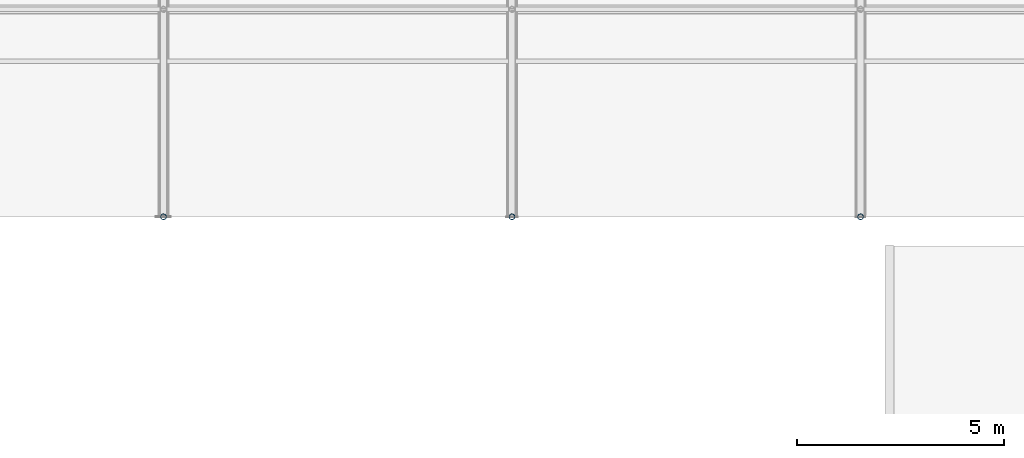
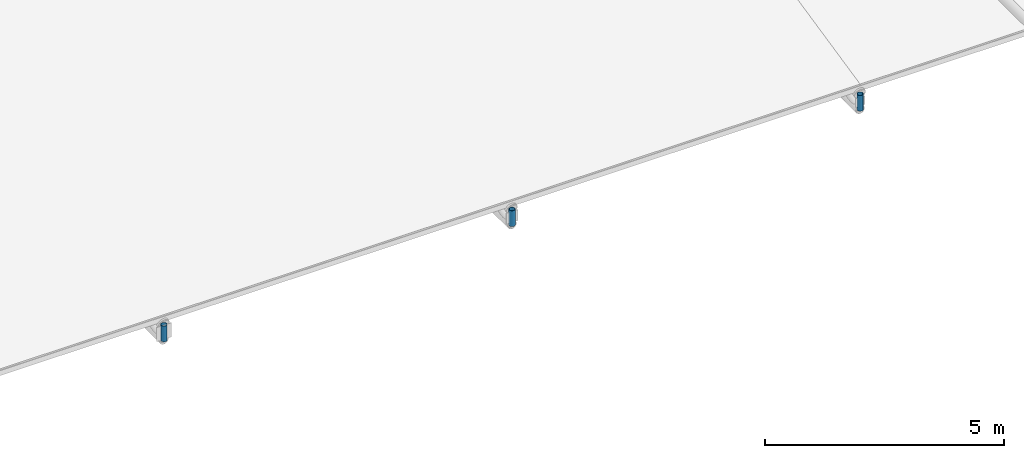
# One storey, part 140 of 194: 3 members.
"""IFC4 building model written with IfcOpenShell, lengths in metres."""

import ifcopenshell
import ifcopenshell.guid

model = None  # the IFC model being written
_history = None  # IfcOwnerHistory: only IFC2X3 demands one
_inside = {}  # id of a spatial element -> (the spatial element, [elements in it])
_under = {}  # id of a project, library or spatial element -> (it, [spatial elements below it])
_declared = {}  # id of a project -> (the project, [libraries it declares])
_typed = {}  # id of a type object -> (the type object, [elements of that type])
_made_of = {}  # id of a material, layer set ... -> (it, [elements and type objects made of it])


def new_model(schema):
    """Start an empty IFC model of exactly this schema.

    Asked for "IFC4X3", IfcOpenShell would pick the latest addendum, in which some entities
    have other attributes; the version numbers below select the first issue.
    IFC2X3 requires an IfcOwnerHistory on every rooted entity: one is made here for all.
    """
    global model, _history
    if schema == "IFC4X3":
        model = ifcopenshell.file(schema_version=(4, 3, 0, 0))
    else:
        model = ifcopenshell.file(schema=schema)
    _inside.clear()
    _under.clear()
    _declared.clear()
    _typed.clear()
    _made_of.clear()
    _history = None
    if model.schema == "IFC2X3":
        org = make("IfcOrganization", Name="unknown")
        user = make(
            "IfcPersonAndOrganization",
            ThePerson=make("IfcPerson", FamilyName="unknown"),
            TheOrganization=org,
        )
        app = make(
            "IfcApplication",
            ApplicationDeveloper=org,
            Version="unknown",
            ApplicationFullName="unknown",
            ApplicationIdentifier="unknown",
        )
        _history = make(
            "IfcOwnerHistory",
            OwningUser=user,
            OwningApplication=app,
            ChangeAction="ADDED",
            CreationDate=0,
        )
    return model


def make(cls, **values):
    """One entity of the class cls with the attributes given. An attribute that is None is left unset."""
    return model.create_entity(
        cls, **{name: value for name, value in values.items() if value is not None}
    )


def rooted(cls, **values):
    """An entity with a GlobalId (a new one), such as an element, a storey or a relation."""
    return make(cls, GlobalId=ifcopenshell.guid.new(), OwnerHistory=_history, **values)


def si_unit(unit_type, name, prefix=None):
    """IfcSIUnit, for example si_unit("LENGTHUNIT", "METRE", prefix="MILLI")."""
    return make("IfcSIUnit", UnitType=unit_type, Prefix=prefix, Name=name)


def assignment(units):
    """IfcUnitAssignment: the units of a project."""
    return None if units is None else make("IfcUnitAssignment", Units=units)


def point(xyz):
    """IfcCartesianPoint."""
    return None if xyz is None else make("IfcCartesianPoint", Coordinates=xyz)


def direction(xyz):
    """IfcDirection."""
    return None if xyz is None else make("IfcDirection", DirectionRatios=xyz)


def frame(location, z_axis=None, x_axis=None):
    """IfcAxis2Placement3D, a coordinate frame: its origin and axes. An axis left out is left unset."""
    return make(
        "IfcAxis2Placement3D",
        Location=point(location),
        Axis=direction(z_axis),
        RefDirection=direction(x_axis),
    )


def frame_2d(location, x_axis=None):
    """IfcAxis2Placement2D, a coordinate frame in the plane: its origin and x axis."""
    return make(
        "IfcAxis2Placement2D", Location=point(location), RefDirection=direction(x_axis)
    )


def origin():
    """The frame at (0, 0, 0) with its axes left unset."""
    return frame((0.0, 0.0, 0.0))


def origin_2d():
    """The frame at (0, 0) in the plane with its x axis left unset."""
    return frame_2d((0.0, 0.0))


def place(relative_to, where):
    """IfcLocalPlacement: puts the frame where relative to a parent placement (None: the world)."""
    return make(
        "IfcLocalPlacement", PlacementRelTo=relative_to, RelativePlacement=where
    )


def context(
    kind, dimensions, precision=None, world=None, true_north=None, identifier=None
):
    """IfcGeometricRepresentationContext, for example the 3D "Model" context."""
    return make(
        "IfcGeometricRepresentationContext",
        ContextIdentifier=identifier,
        ContextType=kind,
        CoordinateSpaceDimension=dimensions,
        Precision=precision,
        WorldCoordinateSystem=world,
        TrueNorth=true_north,
    )


def subcontext(parent, identifier, kind, view, scale=None):
    """IfcGeometricRepresentationSubContext, for example "Body" below "Model"."""
    return make(
        "IfcGeometricRepresentationSubContext",
        ContextIdentifier=identifier,
        ContextType=kind,
        ParentContext=parent,
        TargetScale=scale,
        TargetView=view,
    )


def project(units=None, contexts=None):
    """IfcProject with its units and contexts."""
    return rooted(
        "IfcProject",
        Name="project",
        RepresentationContexts=contexts,
        UnitsInContext=assignment(units),
    )


def spatial(cls, under=None, at=None, **own):
    """A site, building, storey or space (cls), placed at a placement, below another one or the project."""
    s = rooted(cls, ObjectPlacement=at, **own)
    if under is not None:
        _under.setdefault(under.id(), (under, []))[1].append(s)
    return s


def profile(cls, at=None, kind="AREA", **sizes):
    """A parametric profile (cls). Its sizes go by their IFC names, for example OverallWidth=200.0."""
    return make(cls, ProfileType=kind, Position=at, **sizes)


def hollow_circle(**sizes):
    """IfcCircleHollowProfileDef."""
    return profile("IfcCircleHollowProfileDef", **sizes)


def extrude(swept, where, along, depth):
    """IfcExtrudedAreaSolid: the profile swept, set in the frame where, extruded along a direction by depth."""
    return make(
        "IfcExtrudedAreaSolid",
        SweptArea=swept,
        Position=where,
        ExtrudedDirection=direction(along),
        Depth=depth,
    )


def shape(context_of_items, identifier, shape_type, items):
    """IfcShapeRepresentation: the items that make up one representation, for example the "Body"."""
    return make(
        "IfcShapeRepresentation",
        ContextOfItems=context_of_items,
        RepresentationIdentifier=identifier,
        RepresentationType=shape_type,
        Items=items,
    )


def material(Name=None, Category=None):
    """IfcMaterial."""
    return make("IfcMaterial", Name=Name, Category=Category)


def material_profile(
    of_material, cross_section, Name=None, Category=None, Priority=None
):
    """IfcMaterialProfile: a cross section and its material."""
    return make(
        "IfcMaterialProfile",
        Name=Name,
        Material=of_material,
        Profile=cross_section,
        Priority=Priority,
        Category=Category,
    )


def profile_set(profiles, Name=None, composite=None):
    """IfcMaterialProfileSet."""
    return make(
        "IfcMaterialProfileSet",
        Name=Name,
        MaterialProfiles=profiles,
        CompositeProfile=composite,
    )


def made_of(thing, what):
    """Note that an element or type object is made of a material, layer set ...; save() writes the relation."""
    if what is not None:
        _made_of.setdefault(what.id(), (what, []))[1].append(thing)
    return thing


def type_object(cls, material=None, **own):
    """A type object (cls), such as IfcWallType, which elements share."""
    return made_of(rooted(cls, **own), material)


def element(
    cls,
    number,
    at=None,
    inside=None,
    cuts=None,
    type_object=None,
    material=None,
    context=None,
    identifier="Body",
    shape_type=None,
    held_by="IfcProductDefinitionShape",
    body=None,
    shapes=None,
    **own,
):
    """One element of the class cls, such as IfcWall. Its Tag is "e" and its number.

    at: its placement. inside: the storey or other place that contains it. cuts: it is an
    opening in that element (IfcRelVoidsElement). A single representation is given by context,
    identifier, shape_type and body (its items); several are given by shapes. held_by: the class
    of the entity that holds the representations. save() writes the other relations.
    """
    e = rooted(cls, Tag="e%d" % number, ObjectPlacement=at, **own)
    if body is not None:
        shapes = [shape(context, identifier, shape_type, body)]
    if shapes is not None:
        e.Representation = make(held_by, Representations=shapes)
    if inside is not None:
        _inside.setdefault(inside.id(), (inside, []))[1].append(e)
    if cuts is not None:
        rooted(
            "IfcRelVoidsElement", RelatingBuildingElement=cuts, RelatedOpeningElement=e
        )
    if type_object is not None:
        _typed.setdefault(type_object.id(), (type_object, []))[1].append(e)
    return made_of(e, material)


def aggregate(whole, parts):
    """IfcRelAggregates: a whole, such as a stair, and the parts it consists of."""
    return rooted("IfcRelAggregates", RelatingObject=whole, RelatedObjects=parts)


def save(model, path):
    """Write the relations noted so far, then the file.

    IfcRelAggregates (storeys below a building ...), IfcRelContainedInSpatialStructure (elements
    in a storey), IfcRelDefinesByType, IfcRelAssociatesMaterial and IfcRelDeclares: one each for
    every whole, place, type object, material and project.
    """
    for whole, parts in _under.values():
        aggregate(whole, parts)
    for where, things in _inside.values():
        rooted(
            "IfcRelContainedInSpatialStructure",
            RelatedElements=things,
            RelatingStructure=where,
        )
    for kind, things in _typed.values():
        rooted("IfcRelDefinesByType", RelatedObjects=things, RelatingType=kind)
    for what, things in _made_of.values():
        rooted("IfcRelAssociatesMaterial", RelatedObjects=things, RelatingMaterial=what)
    for by, libraries in _declared.values():
        rooted("IfcRelDeclares", RelatingContext=by, RelatedDefinitions=libraries)
    model.write(path)


model = new_model("IFC4")

# Units and contexts
model_context = context("Model", 3, precision=1e-05, world=origin(), true_north=direction((0.0, 1.0)))
body_context = subcontext(model_context, "Body", "Model", "MODEL_VIEW")
ifc_project = project(units=[si_unit("LENGTHUNIT", "METRE"), si_unit("AREAUNIT", "SQUARE_METRE"), si_unit("VOLUMEUNIT", "CUBIC_METRE"), si_unit("PLANEANGLEUNIT", "RADIAN"), si_unit("MASSUNIT", "GRAM", prefix="KILO")], contexts=[model_context])

# Site, building, storey
site_placement = place(None, origin())
site = spatial("IfcSite", under=ifc_project, at=site_placement, CompositionType="ELEMENT")
building_placement = place(site_placement, origin())
building = spatial("IfcBuilding", under=site, at=building_placement, Name="Kazenagashi Tramway Depot", CompositionType="ELEMENT")
storey_placement = place(building_placement, frame((0.0, 0.0, 23.7)))
storey = spatial("IfcBuildingStorey", under=building, at=storey_placement, Name="ROOF", CompositionType="ELEMENT", Elevation=23.7)

# Members
ifc_material = material(Name="Steel STK490", Category="steel")
ifc_material_profile = material_profile(ifc_material, hollow_circle(Radius=0.0699, WallThickness=0.0066, at=origin_2d()), Name="CHS-139.8x6.6")
ifc_profile_set = profile_set([ifc_material_profile], Name="Steel STK490")
member_type = type_object("IfcMemberType", Name="TS-02", PredefinedType="STRUT", material=ifc_profile_set)
for number, where, z_axis, x_axis, name in (
    (1, (128.8, 70.0, -14.1), (0.0, 0.0, 1.0), (1.0, 0.0, 0.0), "Tubular Space Frame TS-02 MEM-0629"),
    (2, (137.2, 70.0, -14.1), (0.0, 0.0, 1.0), (1.0, 0.0, 0.0), "Tubular Space Frame TS-02 MEM-0690"),
    (3, (145.6, 70.0, -14.1), (0.0, 0.0, 1.0), (1.0, 0.0, 0.0), "Tubular Space Frame TS-02 MEM-0751"),
):
    element("IfcMember", number, at=place(storey_placement, frame(where, z_axis=z_axis, x_axis=x_axis)), inside=storey, type_object=member_type, Name=name, PredefinedType="STRUT", context=body_context, shape_type="SweptSolid", body=[
        extrude(hollow_circle(Radius=0.0699, WallThickness=0.0066, at=origin_2d()), origin(), (0.0, 0.0, 1.0), 0.4),
    ])

save(model, "model.ifc")
